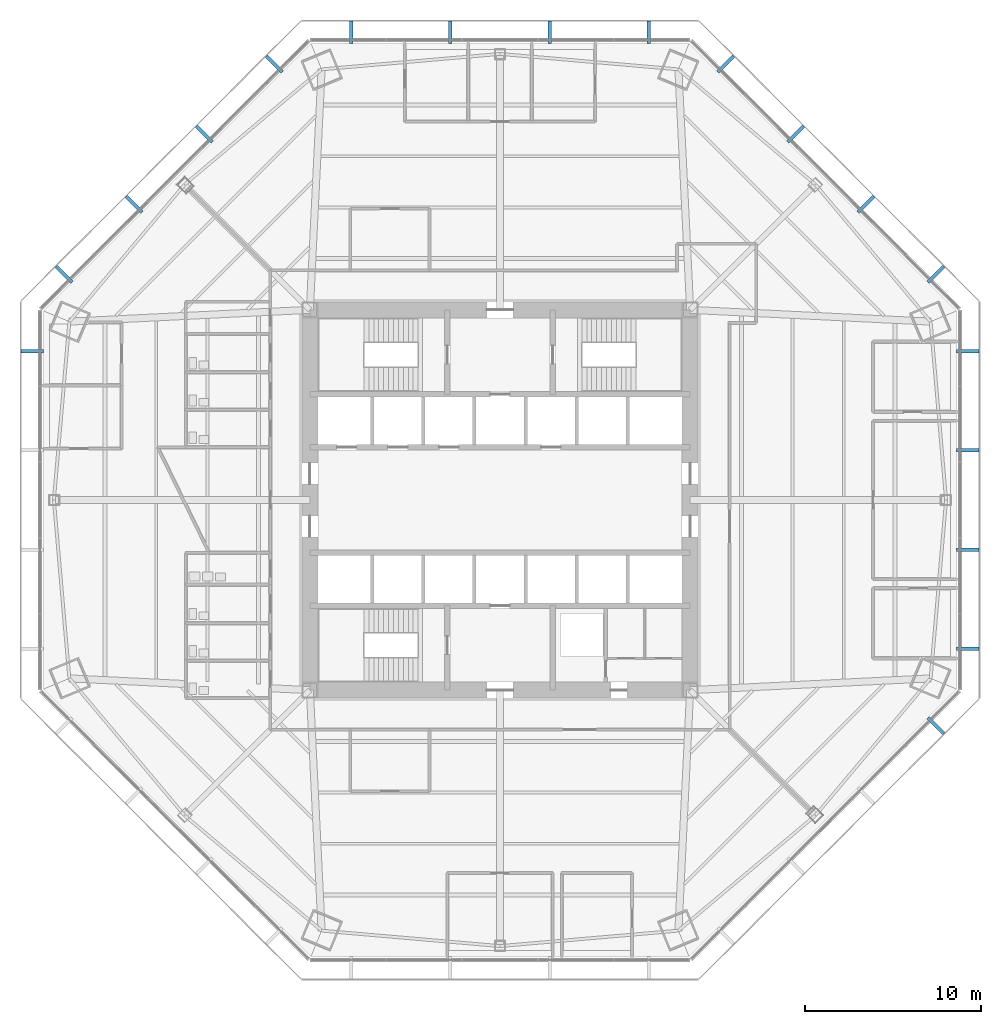
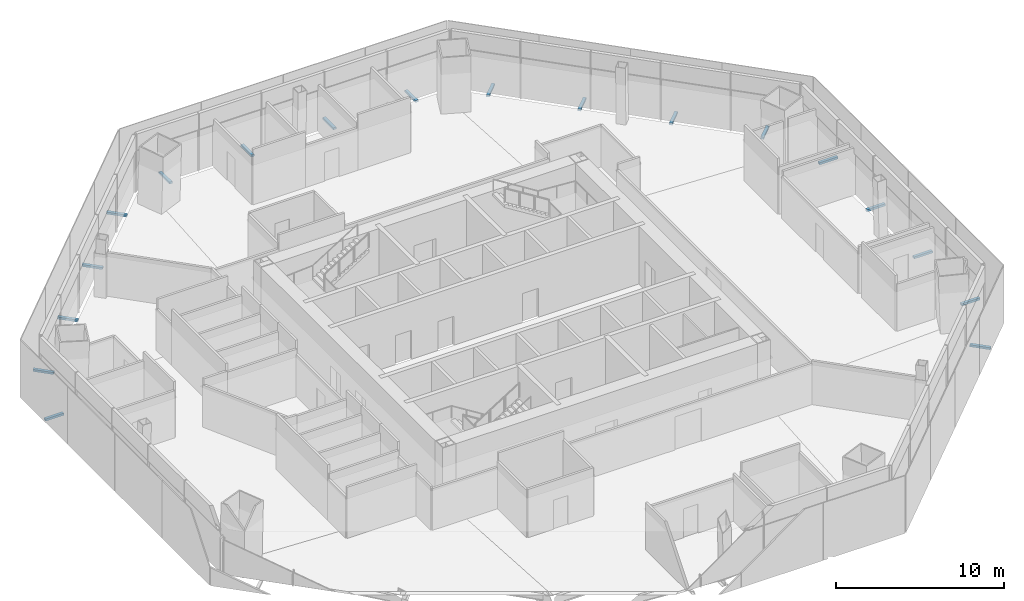
# One storey, part 12 of 15: 18 discrete accessories.
"""IFC4 building model written with IfcOpenShell, lengths in metres."""

from ifc_helpers import new_model, si_unit, direction, frame, origin, origin_2d, place, context, subcontext, project, spatial, rectangle, extrude, source, transform, mapped, material, type_object, type_shapes, element, save


model = new_model("IFC4")

# Units and contexts
model_context = context("Model", 3, precision=1e-05, world=origin(), true_north=direction((0.0, 1.0)))
body_context = subcontext(model_context, "Body", "Model", "MODEL_VIEW")
ifc_project = project(units=[si_unit("LENGTHUNIT", "METRE"), si_unit("AREAUNIT", "SQUARE_METRE"), si_unit("VOLUMEUNIT", "CUBIC_METRE"), si_unit("PLANEANGLEUNIT", "RADIAN"), si_unit("MASSUNIT", "GRAM", prefix="KILO")], contexts=[model_context])

# Site, building, storey
site_placement = place(None, origin())
site = spatial("IfcSite", under=ifc_project, at=site_placement, CompositionType="ELEMENT")
building_placement = place(site_placement, origin())
building = spatial("IfcBuilding", under=site, at=building_placement, Name="Mashrafa Tower", CompositionType="ELEMENT")
storey_placement = place(building_placement, frame((0.0, 0.0, 66.60009765625)))
storey = spatial("IfcBuildingStorey", under=building, at=storey_placement, Name="L14", CompositionType="ELEMENT", Elevation=66.60009765625)

# Discrete accessories
ifc_material = material(Name="Stainless steel screen bracket", Category="steel")
discrete_accessory_type = type_object("IfcDiscreteAccessoryType", Name="Screen support bracket 200 x 150", PredefinedType="BRACKET", material=ifc_material)
shared_shape = source(origin(), body_context, "Body", "SweptSolid", [
    extrude(rectangle(XDim=0.199951171875, YDim=1.27001953125, at=origin_2d()), origin(), (0.0, 0.0, 1.0), 0.14990234375),
])
type_shapes(discrete_accessory_type, [shared_shape])
for number, where, z_axis, x_axis, name in (
    (1, (26.565673828125, -8.442626953125, -0.150146484375), (0.0, 0.0, 1.0), (0.0, 1.0, 0.0), "Screen support bracket L14 east 1"),
    (2, (26.565673828125, -2.814208984375, -0.150146484375), (0.0, 0.0, 1.0), (0.0, 1.0, 0.0), "Screen support bracket L14 east 2"),
    (3, (26.565673828125, 2.814208984375, -0.150146484375), (0.0, 0.0, 1.0), (0.0, 1.0, 0.0), "Screen support bracket L14 east 3"),
    (4, (26.565673828125, 8.442626953125, -0.150146484375), (0.0, 0.0, 1.0), (0.0, 1.0, 0.0), "Screen support bracket L14 east 4"),
    (5, (24.754638671875, 12.81494140625, -0.150146484375), (0.0, 0.0, 1.0), (-0.707106781187, 0.707106781187, 0.0), "Screen support bracket L14 north-east 1"),
    (6, (20.774658203125, 16.794921875, -0.150146484375), (0.0, 0.0, 1.0), (-0.707106781187, 0.707106781187, 0.0), "Screen support bracket L14 north-east 2"),
    (7, (16.794921875, 20.774658203125, -0.150146484375), (0.0, 0.0, 1.0), (-0.707106781187, 0.707106781187, 0.0), "Screen support bracket L14 north-east 3"),
    (8, (12.81494140625, 24.754638671875, -0.150146484375), (0.0, 0.0, 1.0), (-0.707106781187, 0.707106781187, 0.0), "Screen support bracket L14 north-east 4"),
    (9, (8.442626953125, 26.565673828125, -0.150146484375), (0.0, 0.0, 1.0), (-1.0, 0.0, 0.0), "Screen support bracket L14 north 1"),
    (10, (2.814208984375, 26.565673828125, -0.150146484375), (0.0, 0.0, 1.0), (-1.0, 0.0, 0.0), "Screen support bracket L14 north 2"),
    (11, (-2.814208984375, 26.565673828125, -0.150146484375), (0.0, 0.0, 1.0), (-1.0, 0.0, 0.0), "Screen support bracket L14 north 3"),
    (12, (-8.442626953125, 26.565673828125, -0.150146484375), (0.0, 0.0, 1.0), (-1.0, 0.0, 0.0), "Screen support bracket L14 north 4"),
    (13, (-12.81494140625, 24.754638671875, -0.150146484375), (0.0, 0.0, 1.0), (-0.707106781187, -0.707106781187, 0.0), "Screen support bracket L14 north-west 1"),
    (14, (-16.794921875, 20.774658203125, -0.150146484375), (0.0, 0.0, 1.0), (-0.707106781187, -0.707106781187, 0.0), "Screen support bracket L14 north-west 2"),
    (15, (-20.774658203125, 16.794921875, -0.150146484375), (0.0, 0.0, 1.0), (-0.707106781187, -0.707106781187, 0.0), "Screen support bracket L14 north-west 3"),
    (16, (-24.754638671875, 12.81494140625, -0.150146484375), (0.0, 0.0, 1.0), (-0.707106781187, -0.707106781187, 0.0), "Screen support bracket L14 north-west 4"),
    (17, (-26.565673828125, 8.442626953125, -0.150146484375), (0.0, 0.0, 1.0), (0.0, -1.0, 0.0), "Screen support bracket L14 west 1"),
    (18, (24.754638671875, -12.81494140625, -0.150146484375), (0.0, 0.0, 1.0), (0.707106781187, 0.707106781187, 0.0), "Screen support bracket L14 south-east 4"),
):
    element("IfcDiscreteAccessory", number, at=place(storey_placement, frame(where, z_axis=z_axis, x_axis=x_axis)), inside=storey, type_object=discrete_accessory_type, Name=name, PredefinedType="BRACKET", context=body_context, shape_type="MappedRepresentation", body=[
        mapped(shared_shape, transform((0.0, 0.0, 0.0))),
    ])

save(model, "model.ifc")
